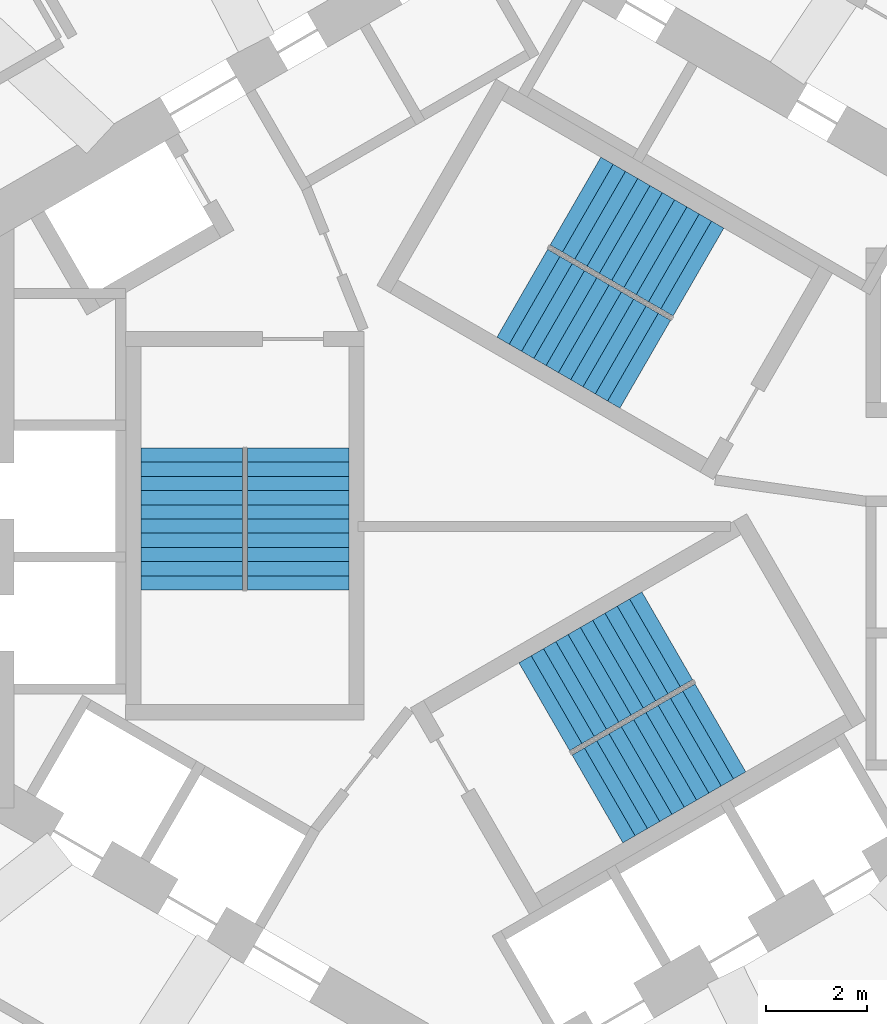
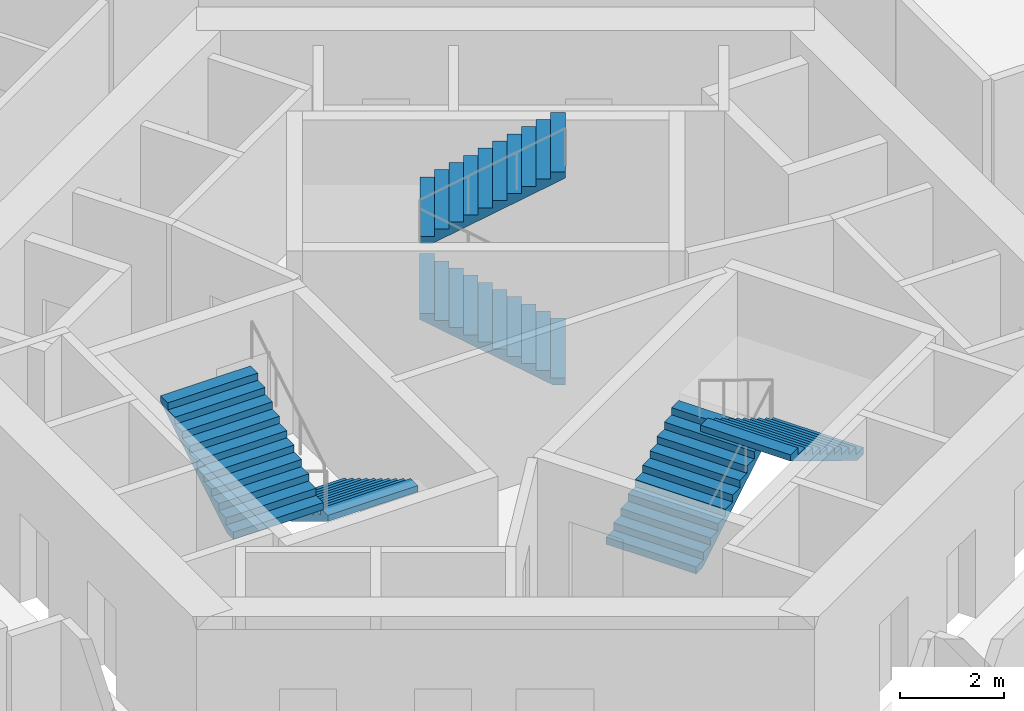
# One storey, part 9 of 11: 6 stair flights, 3 elements without a shape of their own.
"""IFC4 building model written with IfcOpenShell, lengths in metres."""

import ifcopenshell
import ifcopenshell.guid

model = None  # the IFC model being written
_history = None  # IfcOwnerHistory: only IFC2X3 demands one
_inside = {}  # id of a spatial element -> (the spatial element, [elements in it])
_under = {}  # id of a project, library or spatial element -> (it, [spatial elements below it])
_declared = {}  # id of a project -> (the project, [libraries it declares])
_typed = {}  # id of a type object -> (the type object, [elements of that type])
_made_of = {}  # id of a material, layer set ... -> (it, [elements and type objects made of it])


def new_model(schema):
    """Start an empty IFC model of exactly this schema.

    Asked for "IFC4X3", IfcOpenShell would pick the latest addendum, in which some entities
    have other attributes; the version numbers below select the first issue.
    IFC2X3 requires an IfcOwnerHistory on every rooted entity: one is made here for all.
    """
    global model, _history
    if schema == "IFC4X3":
        model = ifcopenshell.file(schema_version=(4, 3, 0, 0))
    else:
        model = ifcopenshell.file(schema=schema)
    _inside.clear()
    _under.clear()
    _declared.clear()
    _typed.clear()
    _made_of.clear()
    _history = None
    if model.schema == "IFC2X3":
        org = make("IfcOrganization", Name="unknown")
        user = make(
            "IfcPersonAndOrganization",
            ThePerson=make("IfcPerson", FamilyName="unknown"),
            TheOrganization=org,
        )
        app = make(
            "IfcApplication",
            ApplicationDeveloper=org,
            Version="unknown",
            ApplicationFullName="unknown",
            ApplicationIdentifier="unknown",
        )
        _history = make(
            "IfcOwnerHistory",
            OwningUser=user,
            OwningApplication=app,
            ChangeAction="ADDED",
            CreationDate=0,
        )
    return model


def make(cls, **values):
    """One entity of the class cls with the attributes given. An attribute that is None is left unset."""
    return model.create_entity(
        cls, **{name: value for name, value in values.items() if value is not None}
    )


def rooted(cls, **values):
    """An entity with a GlobalId (a new one), such as an element, a storey or a relation."""
    return make(cls, GlobalId=ifcopenshell.guid.new(), OwnerHistory=_history, **values)


def si_unit(unit_type, name, prefix=None):
    """IfcSIUnit, for example si_unit("LENGTHUNIT", "METRE", prefix="MILLI")."""
    return make("IfcSIUnit", UnitType=unit_type, Prefix=prefix, Name=name)


def assignment(units):
    """IfcUnitAssignment: the units of a project."""
    return None if units is None else make("IfcUnitAssignment", Units=units)


def point(xyz):
    """IfcCartesianPoint."""
    return None if xyz is None else make("IfcCartesianPoint", Coordinates=xyz)


def direction(xyz):
    """IfcDirection."""
    return None if xyz is None else make("IfcDirection", DirectionRatios=xyz)


def frame(location, z_axis=None, x_axis=None):
    """IfcAxis2Placement3D, a coordinate frame: its origin and axes. An axis left out is left unset."""
    return make(
        "IfcAxis2Placement3D",
        Location=point(location),
        Axis=direction(z_axis),
        RefDirection=direction(x_axis),
    )


def origin():
    """The frame at (0, 0, 0) with its axes left unset."""
    return frame((0.0, 0.0, 0.0))


def place(relative_to, where):
    """IfcLocalPlacement: puts the frame where relative to a parent placement (None: the world)."""
    return make(
        "IfcLocalPlacement", PlacementRelTo=relative_to, RelativePlacement=where
    )


def context(
    kind, dimensions, precision=None, world=None, true_north=None, identifier=None
):
    """IfcGeometricRepresentationContext, for example the 3D "Model" context."""
    return make(
        "IfcGeometricRepresentationContext",
        ContextIdentifier=identifier,
        ContextType=kind,
        CoordinateSpaceDimension=dimensions,
        Precision=precision,
        WorldCoordinateSystem=world,
        TrueNorth=true_north,
    )


def subcontext(parent, identifier, kind, view, scale=None):
    """IfcGeometricRepresentationSubContext, for example "Body" below "Model"."""
    return make(
        "IfcGeometricRepresentationSubContext",
        ContextIdentifier=identifier,
        ContextType=kind,
        ParentContext=parent,
        TargetScale=scale,
        TargetView=view,
    )


def project(units=None, contexts=None):
    """IfcProject with its units and contexts."""
    return rooted(
        "IfcProject",
        Name="project",
        RepresentationContexts=contexts,
        UnitsInContext=assignment(units),
    )


def spatial(cls, under=None, at=None, **own):
    """A site, building, storey or space (cls), placed at a placement, below another one or the project."""
    s = rooted(cls, ObjectPlacement=at, **own)
    if under is not None:
        _under.setdefault(under.id(), (under, []))[1].append(s)
    return s


def point_list(points):
    """IfcCartesianPointList2D or 3D."""
    cls = (
        "IfcCartesianPointList2D" if len(points[0]) == 2 else "IfcCartesianPointList3D"
    )
    return make(cls, CoordList=points)


def triangles(points, corners, closed=None, point_numbers=None):
    """IfcTriangulatedFaceSet: each triangle names its three corners, points numbered from 1."""
    return make(
        "IfcTriangulatedFaceSet",
        Coordinates=point_list(points),
        Closed=closed,
        CoordIndex=corners,
        PnIndex=point_numbers,
    )


def shape(context_of_items, identifier, shape_type, items):
    """IfcShapeRepresentation: the items that make up one representation, for example the "Body"."""
    return make(
        "IfcShapeRepresentation",
        ContextOfItems=context_of_items,
        RepresentationIdentifier=identifier,
        RepresentationType=shape_type,
        Items=items,
    )


def source(mapping_origin, context_of_items, identifier, shape_type, items):
    """IfcRepresentationMap: a shape defined once, which mapped items show again and again."""
    return make(
        "IfcRepresentationMap",
        MappingOrigin=mapping_origin,
        MappedRepresentation=shape(context_of_items, identifier, shape_type, items),
    )


def transform(
    local_origin,
    x_axis=None,
    y_axis=None,
    z_axis=None,
    scale=None,
    scale2=None,
    scale3=None,
    uniform=True,
):
    """IfcCartesianTransformationOperator3D, or its non-uniform kind. x_axis, y_axis, z_axis: its Axis1, 2, 3."""
    if uniform:
        return make(
            "IfcCartesianTransformationOperator3D",
            Axis1=direction(x_axis),
            Axis2=direction(y_axis),
            LocalOrigin=point(local_origin),
            Scale=scale,
            Axis3=direction(z_axis),
        )
    return make(
        "IfcCartesianTransformationOperator3DnonUniform",
        Axis1=direction(x_axis),
        Axis2=direction(y_axis),
        LocalOrigin=point(local_origin),
        Scale=scale,
        Axis3=direction(z_axis),
        Scale2=scale2,
        Scale3=scale3,
    )


def mapped(mapping_source, mapping_target):
    """IfcMappedItem: shows the shape of a source again, moved by a transform."""
    return make(
        "IfcMappedItem", MappingSource=mapping_source, MappingTarget=mapping_target
    )


def material(Name=None, Category=None):
    """IfcMaterial."""
    return make("IfcMaterial", Name=Name, Category=Category)


def made_of(thing, what):
    """Note that an element or type object is made of a material, layer set ...; save() writes the relation."""
    if what is not None:
        _made_of.setdefault(what.id(), (what, []))[1].append(thing)
    return thing


def type_object(cls, material=None, **own):
    """A type object (cls), such as IfcWallType, which elements share."""
    return made_of(rooted(cls, **own), material)


def element(
    cls,
    number,
    at=None,
    inside=None,
    cuts=None,
    type_object=None,
    material=None,
    context=None,
    identifier="Body",
    shape_type=None,
    held_by="IfcProductDefinitionShape",
    body=None,
    shapes=None,
    **own,
):
    """One element of the class cls, such as IfcWall. Its Tag is "e" and its number.

    at: its placement. inside: the storey or other place that contains it. cuts: it is an
    opening in that element (IfcRelVoidsElement). A single representation is given by context,
    identifier, shape_type and body (its items); several are given by shapes. held_by: the class
    of the entity that holds the representations. save() writes the other relations.
    """
    e = rooted(cls, Tag="e%d" % number, ObjectPlacement=at, **own)
    if body is not None:
        shapes = [shape(context, identifier, shape_type, body)]
    if shapes is not None:
        e.Representation = make(held_by, Representations=shapes)
    if inside is not None:
        _inside.setdefault(inside.id(), (inside, []))[1].append(e)
    if cuts is not None:
        rooted(
            "IfcRelVoidsElement", RelatingBuildingElement=cuts, RelatedOpeningElement=e
        )
    if type_object is not None:
        _typed.setdefault(type_object.id(), (type_object, []))[1].append(e)
    return made_of(e, material)


def aggregate(whole, parts):
    """IfcRelAggregates: a whole, such as a stair, and the parts it consists of."""
    return rooted("IfcRelAggregates", RelatingObject=whole, RelatedObjects=parts)


def save(model, path):
    """Write the relations noted so far, then the file.

    IfcRelAggregates (storeys below a building ...), IfcRelContainedInSpatialStructure (elements
    in a storey), IfcRelDefinesByType, IfcRelAssociatesMaterial and IfcRelDeclares: one each for
    every whole, place, type object, material and project.
    """
    for whole, parts in _under.values():
        aggregate(whole, parts)
    for where, things in _inside.values():
        rooted(
            "IfcRelContainedInSpatialStructure",
            RelatedElements=things,
            RelatingStructure=where,
        )
    for kind, things in _typed.values():
        rooted("IfcRelDefinesByType", RelatedObjects=things, RelatingType=kind)
    for what, things in _made_of.values():
        rooted("IfcRelAssociatesMaterial", RelatedObjects=things, RelatingMaterial=what)
    for by, libraries in _declared.values():
        rooted("IfcRelDeclares", RelatingContext=by, RelatedDefinitions=libraries)
    model.write(path)


model = new_model("IFC4")

# Units and contexts
model_context = context("Model", 3, precision=1e-05, world=origin(), true_north=direction((0.0, 1.0)))
body_context = subcontext(model_context, "Body", "Model", "MODEL_VIEW")
ifc_project = project(units=[si_unit("LENGTHUNIT", "METRE"), si_unit("AREAUNIT", "SQUARE_METRE"), si_unit("VOLUMEUNIT", "CUBIC_METRE"), si_unit("PLANEANGLEUNIT", "RADIAN"), si_unit("MASSUNIT", "GRAM", prefix="KILO")], contexts=[model_context])

# Site, building, storey
site_placement = place(None, origin())
site = spatial("IfcSite", under=ifc_project, at=site_placement, CompositionType="ELEMENT")
building_placement = place(site_placement, origin())
building = spatial("IfcBuilding", under=site, at=building_placement, Name="Vanh Sen Convention Tower", CompositionType="ELEMENT")
storey_placement = place(building_placement, frame((0.0, 0.0, 251.300048828125)))
storey = spatial("IfcBuildingStorey", under=building, at=storey_placement, Name="L62", CompositionType="ELEMENT", Elevation=251.300048828125)

# Stair, stair flights
ifc_material_1 = material(Name="Concrete C50/60", Category="concrete")
stair_type_1 = type_object("IfcStairType", Name="Exit stair ST1 22 risers at 168.2", PredefinedType="HALF_TURN_STAIR", material=ifc_material_1)
stair_1_placement = place(storey_placement, origin())
stair_1 = element("IfcStair", 1, at=stair_1_placement, inside=storey, type_object=stair_type_1, Name="Exit stair ST1 L62", PredefinedType="HALF_TURN_STAIR")
ifc_material_2 = material(Name="Concrete C40/50", Category="concrete")
stair_flight_type = type_object("IfcStairFlightType", Name="Stair flight 2000", PredefinedType="STRAIGHT", material=ifc_material_2)
shared_shape = source(origin(), body_context, "Body", "Tessellation", [
    triangles([(0.24267578125, 1.0, 0.0), (0.0, 1.0, 0.0), (0.0, 1.0, 0.168212890625), (0.280029296875, 1.0, 0.168212890625), (0.280029296875, 1.0, 0.33642578125), (0.56005859375, 1.0, 0.33642578125), (0.56005859375, 1.0, 0.504638671875), (0.840087890625, 1.0, 0.504638671875), (0.840087890625, 1.0, 0.672607421875), (1.1201171875, 1.0, 0.672607421875), (1.1201171875, 1.0, 0.8408203125), (1.39990234375, 1.0, 0.8408203125), (1.39990234375, 1.0, 1.009033203125), (1.679931640625, 1.0, 1.009033203125), (1.679931640625, 1.0, 1.17724609375), (1.9599609375, 1.0, 1.17724609375), (1.9599609375, 1.0, 1.345458984375), (2.239990234375, 1.0, 1.345458984375), (2.239990234375, 1.0, 1.513671875), (2.52001953125, 1.0, 1.513671875), (2.52001953125, 1.0, 1.681884765625), (2.800048828125, 1.0, 1.681884765625), (2.800048828125, 1.0, 1.535888671875), (0.24267578125, -1.0, 0.0), (0.0, -1.0, 0.0), (0.0, -1.0, 0.168212890625), (0.280029296875, -1.0, 0.168212890625), (0.280029296875, -1.0, 0.33642578125), (0.56005859375, -1.0, 0.33642578125), (0.56005859375, -1.0, 0.504638671875), (0.840087890625, -1.0, 0.504638671875), (0.840087890625, -1.0, 0.672607421875), (1.1201171875, -1.0, 0.672607421875), (1.1201171875, -1.0, 0.8408203125), (1.39990234375, -1.0, 0.8408203125), (1.39990234375, -1.0, 1.009033203125), (1.679931640625, -1.0, 1.009033203125), (1.679931640625, -1.0, 1.17724609375), (1.9599609375, -1.0, 1.17724609375), (1.9599609375, -1.0, 1.345458984375), (2.239990234375, -1.0, 1.345458984375), (2.239990234375, -1.0, 1.513671875), (2.52001953125, -1.0, 1.513671875), (2.52001953125, -1.0, 1.681884765625), (2.800048828125, -1.0, 1.681884765625), (2.800048828125, -1.0, 1.535888671875), (0.0, 0.0400390625, 0.0), (0.0, 0.0390625, 0.0), (0.0, 0.0380859375, 0.0), (0.0, 0.037109375, 0.0), (0.0, 0.035888671875, 0.0), (0.0, 0.034912109375, 0.0), (0.0, 0.033935546875, 0.0), (0.0, 0.032958984375, 0.0), (0.0, 0.031982421875, 0.0), (0.0, 0.031005859375, 0.0), (0.0, 0.030029296875, 0.0), (0.0, 0.029052734375, 0.0), (0.0, 0.028076171875, 0.0), (0.0, 0.027099609375, 0.0), (0.0, 0.02587890625, 0.0), (0.0, 0.02490234375, 0.0), (0.0, 0.02392578125, 0.0), (0.0, 0.02294921875, 0.0), (0.0, 0.02197265625, 0.0), (0.0, 0.02099609375, 0.0), (0.0, 0.02001953125, 0.0), (0.0, 0.01904296875, 0.0), (0.0, 0.01806640625, 0.0), (0.0, 0.01708984375, 0.0), (0.0, 0.01611328125, 0.0), (0.0, 0.014892578125, 0.0), (0.0, 0.013916015625, 0.0), (0.0, 0.012939453125, 0.0), (0.0, 0.011962890625, 0.0), (0.0, 0.010986328125, 0.0), (0.0, 0.010009765625, 0.0), (0.0, 0.009033203125, 0.0), (0.0, 0.008056640625, 0.0), (0.0, 0.007080078125, 0.0), (0.0, 0.006103515625, 0.0), (0.0, 0.0048828125, 0.0), (0.0, 0.00390625, 0.0), (0.0, 0.0029296875, 0.0), (0.0, 0.001953125, 0.0), (0.0, 0.0009765625, 0.0), (0.0, 0.0, 0.0), (0.0, -0.0009765625, 0.0), (0.0, -0.001953125, 0.0), (0.0, -0.0029296875, 0.0), (0.0, -0.00390625, 0.0), (0.0, -0.0048828125, 0.0), (0.0, -0.006103515625, 0.0), (0.0, -0.007080078125, 0.0), (0.0, -0.008056640625, 0.0), (0.0, -0.009033203125, 0.0), (0.0, -0.010009765625, 0.0), (0.0, -0.010986328125, 0.0), (0.0, -0.011962890625, 0.0), (0.0, -0.012939453125, 0.0), (0.0, -0.013916015625, 0.0), (0.0, -0.014892578125, 0.0), (0.0, -0.01611328125, 0.0), (0.0, -0.01708984375, 0.0), (0.0, -0.01806640625, 0.0), (0.0, -0.01904296875, 0.0), (0.0, -0.02001953125, 0.0), (0.0, -0.02099609375, 0.0), (0.0, -0.02197265625, 0.0), (0.0, -0.02294921875, 0.0), (0.0, -0.02392578125, 0.0), (0.0, -0.02490234375, 0.0), (0.0, -0.02587890625, 0.0), (0.0, -0.027099609375, 0.0), (0.0, -0.028076171875, 0.0), (0.0, -0.029052734375, 0.0), (0.0, -0.030029296875, 0.0), (0.0, -0.031005859375, 0.0), (0.0, -0.031982421875, 0.0), (0.0, -0.032958984375, 0.0), (0.0, -0.033935546875, 0.0), (0.0, -0.034912109375, 0.0), (0.0, -0.035888671875, 0.0), (0.0, -0.037109375, 0.0), (0.0, -0.0380859375, 0.0), (0.0, -0.0390625, 0.0), (0.0, -0.0400390625, 0.0), (0.0, 0.0400390625, 0.168212890625), (0.0, 0.0390625, 0.168212890625), (0.0, 0.0380859375, 0.168212890625), (0.0, 0.037109375, 0.168212890625), (0.0, 0.035888671875, 0.168212890625), (0.0, 0.034912109375, 0.168212890625), (0.0, 0.033935546875, 0.168212890625), (0.0, 0.032958984375, 0.168212890625), (0.0, 0.031982421875, 0.168212890625), (0.0, 0.031005859375, 0.168212890625), (0.0, 0.030029296875, 0.168212890625), (0.0, 0.029052734375, 0.168212890625), (0.0, 0.028076171875, 0.168212890625), (0.0, 0.027099609375, 0.168212890625), (0.0, 0.02587890625, 0.168212890625), (0.0, 0.02490234375, 0.168212890625), (0.0, 0.02392578125, 0.168212890625), (0.0, 0.02294921875, 0.168212890625), (0.0, 0.02197265625, 0.168212890625), (0.0, 0.02099609375, 0.168212890625), (0.0, 0.02001953125, 0.168212890625), (0.0, 0.01904296875, 0.168212890625), (0.0, 0.01806640625, 0.168212890625), (0.0, 0.01708984375, 0.168212890625), (0.0, 0.01611328125, 0.168212890625), (0.0, 0.014892578125, 0.168212890625), (0.0, 0.013916015625, 0.168212890625), (0.0, 0.012939453125, 0.168212890625), (0.0, 0.011962890625, 0.168212890625), (0.0, 0.010986328125, 0.168212890625), (0.0, 0.010009765625, 0.168212890625), (0.0, 0.009033203125, 0.168212890625), (0.0, 0.008056640625, 0.168212890625), (0.0, 0.007080078125, 0.168212890625), (0.0, 0.006103515625, 0.168212890625), (0.0, 0.0048828125, 0.168212890625), (0.0, 0.00390625, 0.168212890625), (0.0, 0.0029296875, 0.168212890625), (0.0, 0.001953125, 0.168212890625), (0.0, 0.0009765625, 0.168212890625), (0.0, 0.0, 0.168212890625), (0.0, -0.0009765625, 0.168212890625), (0.0, -0.001953125, 0.168212890625), (0.0, -0.0029296875, 0.168212890625), (0.0, -0.00390625, 0.168212890625), (0.0, -0.0048828125, 0.168212890625), (0.0, -0.006103515625, 0.168212890625), (0.0, -0.007080078125, 0.168212890625), (0.0, -0.008056640625, 0.168212890625), (0.0, -0.009033203125, 0.168212890625), (0.0, -0.010009765625, 0.168212890625), (0.0, -0.010986328125, 0.168212890625), (0.0, -0.011962890625, 0.168212890625), (0.0, -0.012939453125, 0.168212890625), (0.0, -0.013916015625, 0.168212890625), (0.0, -0.014892578125, 0.168212890625), (0.0, -0.01611328125, 0.168212890625), (0.0, -0.01708984375, 0.168212890625), (0.0, -0.01806640625, 0.168212890625), (0.0, -0.01904296875, 0.168212890625), (0.0, -0.02001953125, 0.168212890625), (0.0, -0.02099609375, 0.168212890625), (0.0, -0.02197265625, 0.168212890625), (0.0, -0.02294921875, 0.168212890625), (0.0, -0.02392578125, 0.168212890625), (0.0, -0.02490234375, 0.168212890625), (0.0, -0.02587890625, 0.168212890625), (0.0, -0.027099609375, 0.168212890625), (0.0, -0.028076171875, 0.168212890625), (0.0, -0.029052734375, 0.168212890625), (0.0, -0.030029296875, 0.168212890625), (0.0, -0.031005859375, 0.168212890625), (0.0, -0.031982421875, 0.168212890625), (0.0, -0.032958984375, 0.168212890625), (0.0, -0.033935546875, 0.168212890625), (0.0, -0.034912109375, 0.168212890625), (0.0, -0.035888671875, 0.168212890625), (0.0, -0.037109375, 0.168212890625), (0.0, -0.0380859375, 0.168212890625), (0.0, -0.0390625, 0.168212890625), (0.0, -0.0400390625, 0.168212890625), (0.280029296875, 0.0, 0.168212890625), (0.280029296875, 0.0, 0.33642578125), (0.56005859375, 0.0, 0.33642578125), (0.56005859375, 0.0, 0.504638671875), (0.840087890625, 0.0, 0.504638671875), (0.840087890625, 0.0, 0.672607421875), (1.1201171875, 0.0, 0.672607421875), (1.1201171875, 0.0, 0.8408203125), (1.39990234375, 0.0, 0.8408203125), (1.39990234375, 0.0, 1.009033203125), (1.679931640625, 0.0, 1.009033203125), (1.679931640625, 0.0, 1.17724609375), (1.9599609375, 0.0, 1.17724609375), (1.9599609375, 0.0, 1.345458984375), (2.239990234375, 0.0, 1.345458984375), (2.239990234375, 0.0, 1.513671875), (2.52001953125, 0.0, 1.513671875), (2.52001953125, 0.0, 1.681884765625), (2.800048828125, 0.0400390625, 1.681884765625), (2.800048828125, 0.0390625, 1.681884765625), (2.800048828125, 0.0380859375, 1.681884765625), (2.800048828125, 0.037109375, 1.681884765625), (2.800048828125, 0.035888671875, 1.681884765625), (2.800048828125, 0.034912109375, 1.681884765625), (2.800048828125, 0.033935546875, 1.681884765625), (2.800048828125, 0.032958984375, 1.681884765625), (2.800048828125, 0.031982421875, 1.681884765625), (2.800048828125, 0.031005859375, 1.681884765625), (2.800048828125, 0.030029296875, 1.681884765625), (2.800048828125, 0.029052734375, 1.681884765625), (2.800048828125, 0.028076171875, 1.681884765625), (2.800048828125, 0.027099609375, 1.681884765625), (2.800048828125, 0.02587890625, 1.681884765625), (2.800048828125, 0.02490234375, 1.681884765625), (2.800048828125, 0.02392578125, 1.681884765625), (2.800048828125, 0.02294921875, 1.681884765625), (2.800048828125, 0.02197265625, 1.681884765625), (2.800048828125, 0.02099609375, 1.681884765625), (2.800048828125, 0.02001953125, 1.681884765625), (2.800048828125, 0.01904296875, 1.681884765625), (2.800048828125, 0.01806640625, 1.681884765625), (2.800048828125, 0.01708984375, 1.681884765625), (2.800048828125, 0.01611328125, 1.681884765625), (2.800048828125, 0.014892578125, 1.681884765625), (2.800048828125, 0.013916015625, 1.681884765625), (2.800048828125, 0.012939453125, 1.681884765625), (2.800048828125, 0.011962890625, 1.681884765625), (2.800048828125, 0.010986328125, 1.681884765625), (2.800048828125, 0.010009765625, 1.681884765625), (2.800048828125, 0.009033203125, 1.681884765625), (2.800048828125, 0.008056640625, 1.681884765625), (2.800048828125, 0.007080078125, 1.681884765625), (2.800048828125, 0.006103515625, 1.681884765625), (2.800048828125, 0.0048828125, 1.681884765625), (2.800048828125, 0.00390625, 1.681884765625), (2.800048828125, 0.0029296875, 1.681884765625), (2.800048828125, 0.001953125, 1.681884765625), (2.800048828125, 0.0009765625, 1.681884765625), (2.800048828125, 0.0, 1.681884765625), (2.800048828125, -0.0009765625, 1.681884765625), (2.800048828125, -0.001953125, 1.681884765625), (2.800048828125, -0.0029296875, 1.681884765625), (2.800048828125, -0.00390625, 1.681884765625), (2.800048828125, -0.0048828125, 1.681884765625), (2.800048828125, -0.006103515625, 1.681884765625), (2.800048828125, -0.007080078125, 1.681884765625), (2.800048828125, -0.008056640625, 1.681884765625), (2.800048828125, -0.009033203125, 1.681884765625), (2.800048828125, -0.010009765625, 1.681884765625), (2.800048828125, -0.010986328125, 1.681884765625), (2.800048828125, -0.011962890625, 1.681884765625), (2.800048828125, -0.012939453125, 1.681884765625), (2.800048828125, -0.013916015625, 1.681884765625), (2.800048828125, -0.014892578125, 1.681884765625), (2.800048828125, -0.01611328125, 1.681884765625), (2.800048828125, -0.01708984375, 1.681884765625), (2.800048828125, -0.01806640625, 1.681884765625), (2.800048828125, -0.01904296875, 1.681884765625), (2.800048828125, -0.02001953125, 1.681884765625), (2.800048828125, -0.02099609375, 1.681884765625), (2.800048828125, -0.02197265625, 1.681884765625), (2.800048828125, -0.02294921875, 1.681884765625), (2.800048828125, -0.02392578125, 1.681884765625), (2.800048828125, -0.02490234375, 1.681884765625), (2.800048828125, -0.02587890625, 1.681884765625), (2.800048828125, -0.027099609375, 1.681884765625), (2.800048828125, -0.028076171875, 1.681884765625), (2.800048828125, -0.029052734375, 1.681884765625), (2.800048828125, -0.030029296875, 1.681884765625), (2.800048828125, -0.031005859375, 1.681884765625), (2.800048828125, -0.031982421875, 1.681884765625), (2.800048828125, -0.032958984375, 1.681884765625), (2.800048828125, -0.033935546875, 1.681884765625), (2.800048828125, -0.034912109375, 1.681884765625), (2.800048828125, -0.035888671875, 1.681884765625), (2.800048828125, -0.037109375, 1.681884765625), (2.800048828125, -0.0380859375, 1.681884765625), (2.800048828125, -0.0390625, 1.681884765625), (2.800048828125, -0.0400390625, 1.681884765625), (2.800048828125, 0.0400390625, 1.535888671875), (2.800048828125, 0.0390625, 1.535888671875), (2.800048828125, 0.0380859375, 1.535888671875), (2.800048828125, 0.037109375, 1.535888671875), (2.800048828125, 0.035888671875, 1.535888671875), (2.800048828125, 0.034912109375, 1.535888671875), (2.800048828125, 0.033935546875, 1.535888671875), (2.800048828125, 0.032958984375, 1.535888671875), (2.800048828125, 0.031982421875, 1.535888671875), (2.800048828125, 0.031005859375, 1.535888671875), (2.800048828125, 0.030029296875, 1.535888671875), (2.800048828125, 0.029052734375, 1.535888671875), (2.800048828125, 0.028076171875, 1.535888671875), (2.800048828125, 0.027099609375, 1.535888671875), (2.800048828125, 0.02587890625, 1.535888671875), (2.800048828125, 0.02490234375, 1.535888671875), (2.800048828125, 0.02392578125, 1.535888671875), (2.800048828125, 0.02294921875, 1.535888671875), (2.800048828125, 0.02197265625, 1.535888671875), (2.800048828125, 0.02099609375, 1.535888671875), (2.800048828125, 0.02001953125, 1.535888671875), (2.800048828125, 0.01904296875, 1.535888671875), (2.800048828125, 0.01806640625, 1.535888671875), (2.800048828125, 0.01708984375, 1.535888671875), (2.800048828125, 0.01611328125, 1.535888671875), (2.800048828125, 0.014892578125, 1.535888671875), (2.800048828125, 0.013916015625, 1.535888671875), (2.800048828125, 0.012939453125, 1.535888671875), (2.800048828125, 0.011962890625, 1.535888671875), (2.800048828125, 0.010986328125, 1.535888671875), (2.800048828125, 0.010009765625, 1.535888671875), (2.800048828125, 0.009033203125, 1.535888671875), (2.800048828125, 0.008056640625, 1.535888671875), (2.800048828125, 0.007080078125, 1.535888671875), (2.800048828125, 0.006103515625, 1.535888671875), (2.800048828125, 0.0048828125, 1.535888671875), (2.800048828125, 0.00390625, 1.535888671875), (2.800048828125, 0.0029296875, 1.535888671875), (2.800048828125, 0.001953125, 1.535888671875), (2.800048828125, 0.0009765625, 1.535888671875), (2.800048828125, 0.0, 1.535888671875), (2.800048828125, -0.0009765625, 1.535888671875), (2.800048828125, -0.001953125, 1.535888671875), (2.800048828125, -0.0029296875, 1.535888671875), (2.800048828125, -0.00390625, 1.535888671875), (2.800048828125, -0.0048828125, 1.535888671875), (2.800048828125, -0.006103515625, 1.535888671875), (2.800048828125, -0.007080078125, 1.535888671875), (2.800048828125, -0.008056640625, 1.535888671875), (2.800048828125, -0.009033203125, 1.535888671875), (2.800048828125, -0.010009765625, 1.535888671875), (2.800048828125, -0.010986328125, 1.535888671875), (2.800048828125, -0.011962890625, 1.535888671875), (2.800048828125, -0.012939453125, 1.535888671875), (2.800048828125, -0.013916015625, 1.535888671875), (2.800048828125, -0.014892578125, 1.535888671875), (2.800048828125, -0.01611328125, 1.535888671875), (2.800048828125, -0.01708984375, 1.535888671875), (2.800048828125, -0.01806640625, 1.535888671875), (2.800048828125, -0.01904296875, 1.535888671875), (2.800048828125, -0.02001953125, 1.535888671875), (2.800048828125, -0.02099609375, 1.535888671875), (2.800048828125, -0.02197265625, 1.535888671875), (2.800048828125, -0.02294921875, 1.535888671875), (2.800048828125, -0.02392578125, 1.535888671875), (2.800048828125, -0.02490234375, 1.535888671875), (2.800048828125, -0.02587890625, 1.535888671875), (2.800048828125, -0.027099609375, 1.535888671875), (2.800048828125, -0.028076171875, 1.535888671875), (2.800048828125, -0.029052734375, 1.535888671875), (2.800048828125, -0.030029296875, 1.535888671875), (2.800048828125, -0.031005859375, 1.535888671875), (2.800048828125, -0.031982421875, 1.535888671875), (2.800048828125, -0.032958984375, 1.535888671875), (2.800048828125, -0.033935546875, 1.535888671875), (2.800048828125, -0.034912109375, 1.535888671875), (2.800048828125, -0.035888671875, 1.535888671875), (2.800048828125, -0.037109375, 1.535888671875), (2.800048828125, -0.0380859375, 1.535888671875), (2.800048828125, -0.0390625, 1.535888671875), (2.800048828125, -0.0400390625, 1.535888671875), (0.24267578125, 0.0, 0.0)], [[1, 2, 3], [1, 3, 4], [4, 5, 6], [1, 4, 6], [6, 7, 8], [1, 6, 8], [8, 9, 10], [1, 8, 10], [10, 11, 12], [1, 10, 12], [12, 13, 14], [1, 12, 14], [14, 15, 16], [1, 14, 16], [16, 17, 18], [1, 16, 18], [18, 19, 20], [1, 18, 20], [20, 21, 22], [1, 20, 22], [22, 23, 1], [24, 26, 25], [24, 27, 26], [27, 29, 28], [24, 29, 27], [29, 31, 30], [24, 31, 29], [31, 33, 32], [24, 33, 31], [33, 35, 34], [24, 35, 33], [35, 37, 36], [24, 37, 35], [37, 39, 38], [24, 39, 37], [39, 41, 40], [24, 41, 39], [41, 43, 42], [24, 43, 41], [43, 45, 44], [24, 45, 43], [45, 24, 46], [2, 128, 3], [2, 47, 128], [47, 129, 128], [47, 48, 129], [48, 130, 129], [48, 49, 130], [49, 131, 130], [49, 50, 131], [50, 132, 131], [50, 51, 132], [51, 133, 132], [51, 52, 133], [52, 134, 133], [52, 53, 134], [53, 135, 134], [53, 54, 135], [54, 136, 135], [54, 55, 136], [55, 137, 136], [55, 56, 137], [56, 138, 137], [56, 57, 138], [57, 139, 138], [57, 58, 139], [58, 140, 139], [58, 59, 140], [59, 141, 140], [59, 60, 141], [60, 142, 141], [60, 61, 142], [61, 143, 142], [61, 62, 143], [62, 144, 143], [62, 63, 144], [63, 145, 144], [63, 64, 145], [64, 146, 145], [64, 65, 146], [65, 147, 146], [65, 66, 147], [66, 148, 147], [66, 67, 148], [67, 149, 148], [67, 68, 149], [68, 150, 149], [68, 69, 150], [69, 151, 150], [69, 70, 151], [70, 152, 151], [70, 71, 152], [71, 153, 152], [71, 72, 153], [72, 154, 153], [72, 73, 154], [73, 155, 154], [73, 74, 155], [74, 156, 155], [74, 75, 156], [75, 157, 156], [75, 76, 157], [76, 158, 157], [76, 77, 158], [77, 159, 158], [77, 78, 159], [78, 160, 159], [78, 79, 160], [79, 161, 160], [79, 80, 161], [80, 162, 161], [80, 81, 162], [81, 163, 162], [81, 82, 163], [82, 164, 163], [82, 83, 164], [83, 165, 164], [83, 84, 165], [84, 166, 165], [84, 85, 166], [85, 167, 166], [85, 86, 167], [86, 168, 167], [86, 87, 168], [87, 88, 168], [168, 88, 169], [88, 89, 169], [169, 89, 170], [89, 90, 170], [170, 90, 171], [90, 91, 171], [171, 91, 172], [91, 92, 172], [172, 92, 173], [92, 93, 173], [173, 93, 174], [93, 94, 174], [174, 94, 175], [94, 95, 175], [175, 95, 176], [95, 96, 176], [176, 96, 177], [96, 97, 177], [177, 97, 178], [97, 98, 178], [178, 98, 179], [98, 99, 179], [179, 99, 180], [99, 100, 180], [180, 100, 181], [100, 101, 181], [181, 101, 182], [101, 102, 182], [182, 102, 183], [102, 103, 183], [183, 103, 184], [103, 104, 184], [184, 104, 185], [104, 105, 185], [185, 105, 186], [105, 106, 186], [186, 106, 187], [106, 107, 187], [187, 107, 188], [107, 108, 188], [188, 108, 189], [108, 109, 189], [189, 109, 190], [109, 110, 190], [190, 110, 191], [110, 111, 191], [191, 111, 192], [111, 112, 192], [192, 112, 193], [112, 113, 193], [193, 113, 194], [113, 114, 194], [194, 114, 195], [114, 115, 195], [195, 115, 196], [115, 116, 196], [196, 116, 197], [116, 117, 197], [197, 117, 198], [117, 118, 198], [198, 118, 199], [118, 119, 199], [199, 119, 200], [119, 120, 200], [200, 120, 201], [120, 121, 201], [201, 121, 202], [121, 122, 202], [202, 122, 203], [122, 123, 203], [203, 123, 204], [123, 124, 204], [204, 124, 205], [124, 125, 205], [205, 125, 206], [125, 126, 206], [206, 126, 207], [126, 127, 207], [207, 127, 208], [127, 25, 208], [208, 25, 26], [4, 3, 128], [4, 128, 129], [4, 129, 130], [4, 130, 131], [4, 131, 132], [4, 132, 133], [4, 133, 134], [4, 134, 135], [4, 135, 136], [4, 136, 137], [4, 137, 138], [4, 138, 139], [4, 139, 140], [4, 140, 141], [4, 141, 142], [4, 142, 143], [4, 143, 144], [4, 144, 145], [4, 145, 146], [4, 146, 147], [4, 147, 148], [4, 148, 149], [4, 149, 150], [4, 150, 151], [4, 151, 152], [4, 152, 153], [4, 153, 154], [4, 154, 155], [4, 155, 156], [4, 156, 157], [4, 157, 158], [4, 158, 159], [4, 159, 160], [4, 160, 161], [4, 161, 162], [4, 162, 163], [4, 163, 164], [4, 164, 165], [4, 165, 166], [4, 166, 167], [4, 167, 168], [27, 168, 169], [27, 169, 170], [27, 170, 171], [27, 171, 172], [27, 172, 173], [27, 173, 174], [27, 174, 175], [27, 175, 176], [27, 176, 177], [27, 177, 178], [27, 178, 179], [27, 179, 180], [27, 180, 181], [27, 181, 182], [27, 182, 183], [27, 183, 184], [27, 184, 185], [27, 185, 186], [27, 186, 187], [27, 187, 188], [27, 188, 189], [27, 189, 190], [27, 190, 191], [27, 191, 192], [27, 192, 193], [27, 193, 194], [27, 194, 195], [27, 195, 196], [27, 196, 197], [27, 197, 198], [27, 198, 199], [27, 199, 200], [27, 200, 201], [27, 201, 202], [27, 202, 203], [27, 203, 204], [27, 204, 205], [27, 205, 206], [27, 206, 207], [27, 207, 208], [27, 208, 26], [4, 168, 209], [27, 209, 168], [4, 210, 5], [4, 209, 210], [209, 27, 210], [210, 27, 28], [5, 211, 6], [5, 210, 211], [210, 28, 211], [211, 28, 29], [6, 212, 7], [6, 211, 212], [211, 29, 212], [212, 29, 30], [7, 213, 8], [7, 212, 213], [212, 30, 213], [213, 30, 31], [8, 214, 9], [8, 213, 214], [213, 31, 214], [214, 31, 32], [9, 215, 10], [9, 214, 215], [214, 32, 215], [215, 32, 33], [10, 216, 11], [10, 215, 216], [215, 33, 216], [216, 33, 34], [11, 217, 12], [11, 216, 217], [216, 34, 217], [217, 34, 35], [12, 218, 13], [12, 217, 218], [217, 35, 218], [218, 35, 36], [13, 219, 14], [13, 218, 219], [218, 36, 219], [219, 36, 37], [14, 220, 15], [14, 219, 220], [219, 37, 220], [220, 37, 38], [15, 221, 16], [15, 220, 221], [220, 38, 221], [221, 38, 39], [16, 222, 17], [16, 221, 222], [221, 39, 222], [222, 39, 40], [17, 223, 18], [17, 222, 223], [222, 40, 223], [223, 40, 41], [18, 224, 19], [18, 223, 224], [223, 41, 224], [224, 41, 42], [19, 225, 20], [19, 224, 225], [224, 42, 225], [225, 42, 43], [20, 226, 21], [20, 225, 226], [225, 43, 226], [226, 43, 44], [21, 227, 22], [21, 228, 227], [21, 229, 228], [21, 230, 229], [21, 231, 230], [21, 232, 231], [21, 233, 232], [21, 234, 233], [21, 235, 234], [21, 236, 235], [21, 237, 236], [21, 238, 237], [21, 239, 238], [21, 240, 239], [21, 241, 240], [21, 242, 241], [21, 243, 242], [21, 244, 243], [21, 245, 244], [21, 246, 245], [21, 247, 246], [21, 248, 247], [21, 249, 248], [21, 250, 249], [21, 251, 250], [21, 252, 251], [21, 253, 252], [21, 254, 253], [21, 255, 254], [21, 256, 255], [21, 257, 256], [21, 258, 257], [21, 259, 258], [21, 260, 259], [21, 261, 260], [21, 262, 261], [21, 263, 262], [21, 264, 263], [21, 265, 264], [21, 266, 265], [21, 267, 266], [44, 268, 267], [44, 269, 268], [44, 270, 269], [44, 271, 270], [44, 272, 271], [44, 273, 272], [44, 274, 273], [44, 275, 274], [44, 276, 275], [44, 277, 276], [44, 278, 277], [44, 279, 278], [44, 280, 279], [44, 281, 280], [44, 282, 281], [44, 283, 282], [44, 284, 283], [44, 285, 284], [44, 286, 285], [44, 287, 286], [44, 288, 287], [44, 289, 288], [44, 290, 289], [44, 291, 290], [44, 292, 291], [44, 293, 292], [44, 294, 293], [44, 295, 294], [44, 296, 295], [44, 297, 296], [44, 298, 297], [44, 299, 298], [44, 300, 299], [44, 301, 300], [44, 302, 301], [44, 303, 302], [44, 304, 303], [44, 305, 304], [44, 306, 305], [44, 307, 306], [44, 45, 307], [21, 226, 267], [44, 267, 226], [22, 308, 23], [22, 227, 308], [227, 309, 308], [227, 228, 309], [228, 310, 309], [228, 229, 310], [229, 311, 310], [229, 230, 311], [230, 312, 311], [230, 231, 312], [231, 313, 312], [231, 232, 313], [232, 314, 313], [232, 233, 314], [233, 315, 314], [233, 234, 315], [234, 316, 315], [234, 235, 316], [235, 317, 316], [235, 236, 317], [236, 318, 317], [236, 237, 318], [237, 319, 318], [237, 238, 319], [238, 320, 319], [238, 239, 320], [239, 321, 320], [239, 240, 321], [240, 322, 321], [240, 241, 322], [241, 323, 322], [241, 242, 323], [242, 324, 323], [242, 243, 324], [243, 325, 324], [243, 244, 325], [244, 326, 325], [244, 245, 326], [245, 327, 326], [245, 246, 327], [246, 328, 327], [246, 247, 328], [247, 329, 328], [247, 248, 329], [248, 330, 329], [248, 249, 330], [249, 331, 330], [249, 250, 331], [250, 332, 331], [250, 251, 332], [251, 333, 332], [251, 252, 333], [252, 334, 333], [252, 253, 334], [253, 335, 334], [253, 254, 335], [254, 336, 335], [254, 255, 336], [255, 337, 336], [255, 256, 337], [256, 338, 337], [256, 257, 338], [257, 339, 338], [257, 258, 339], [258, 340, 339], [258, 259, 340], [259, 341, 340], [259, 260, 341], [260, 342, 341], [260, 261, 342], [261, 343, 342], [261, 262, 343], [262, 344, 343], [262, 263, 344], [263, 345, 344], [263, 264, 345], [264, 346, 345], [264, 265, 346], [265, 347, 346], [265, 266, 347], [266, 348, 347], [266, 267, 348], [267, 268, 348], [348, 268, 349], [268, 269, 349], [349, 269, 350], [269, 270, 350], [350, 270, 351], [270, 271, 351], [351, 271, 352], [271, 272, 352], [352, 272, 353], [272, 273, 353], [353, 273, 354], [273, 274, 354], [354, 274, 355], [274, 275, 355], [355, 275, 356], [275, 276, 356], [356, 276, 357], [276, 277, 357], [357, 277, 358], [277, 278, 358], [358, 278, 359], [278, 279, 359], [359, 279, 360], [279, 280, 360], [360, 280, 361], [280, 281, 361], [361, 281, 362], [281, 282, 362], [362, 282, 363], [282, 283, 363], [363, 283, 364], [283, 284, 364], [364, 284, 365], [284, 285, 365], [365, 285, 366], [285, 286, 366], [366, 286, 367], [286, 287, 367], [367, 287, 368], [287, 288, 368], [368, 288, 369], [288, 289, 369], [369, 289, 370], [289, 290, 370], [370, 290, 371], [290, 291, 371], [371, 291, 372], [291, 292, 372], [372, 292, 373], [292, 293, 373], [373, 293, 374], [293, 294, 374], [374, 294, 375], [294, 295, 375], [375, 295, 376], [295, 296, 376], [376, 296, 377], [296, 297, 377], [377, 297, 378], [297, 298, 378], [378, 298, 379], [298, 299, 379], [379, 299, 380], [299, 300, 380], [380, 300, 381], [300, 301, 381], [381, 301, 382], [301, 302, 382], [382, 302, 383], [302, 303, 383], [383, 303, 384], [303, 304, 384], [384, 304, 385], [304, 305, 385], [385, 305, 386], [305, 306, 386], [386, 306, 387], [306, 307, 387], [387, 307, 388], [307, 45, 388], [388, 45, 46], [1, 23, 308], [1, 308, 309], [1, 309, 310], [1, 310, 311], [1, 311, 312], [1, 312, 313], [1, 313, 314], [1, 314, 315], [1, 315, 316], [1, 316, 317], [1, 317, 318], [1, 318, 319], [1, 319, 320], [1, 320, 321], [1, 321, 322], [1, 322, 323], [1, 323, 324], [1, 324, 325], [1, 325, 326], [1, 326, 327], [1, 327, 328], [1, 328, 329], [1, 329, 330], [1, 330, 331], [1, 331, 332], [1, 332, 333], [1, 333, 334], [1, 334, 335], [1, 335, 336], [1, 336, 337], [1, 337, 338], [1, 338, 339], [1, 339, 340], [1, 340, 341], [1, 341, 342], [1, 342, 343], [1, 343, 344], [1, 344, 345], [1, 345, 346], [1, 346, 347], [1, 347, 348], [24, 348, 349], [24, 349, 350], [24, 350, 351], [24, 351, 352], [24, 352, 353], [24, 353, 354], [24, 354, 355], [24, 355, 356], [24, 356, 357], [24, 357, 358], [24, 358, 359], [24, 359, 360], [24, 360, 361], [24, 361, 362], [24, 362, 363], [24, 363, 364], [24, 364, 365], [24, 365, 366], [24, 366, 367], [24, 367, 368], [24, 368, 369], [24, 369, 370], [24, 370, 371], [24, 371, 372], [24, 372, 373], [24, 373, 374], [24, 374, 375], [24, 375, 376], [24, 376, 377], [24, 377, 378], [24, 378, 379], [24, 379, 380], [24, 380, 381], [24, 381, 382], [24, 382, 383], [24, 383, 384], [24, 384, 385], [24, 385, 386], [24, 386, 387], [24, 387, 388], [24, 388, 46], [1, 348, 389], [24, 389, 348], [1, 47, 2], [1, 48, 47], [1, 49, 48], [1, 50, 49], [1, 51, 50], [1, 52, 51], [1, 53, 52], [1, 54, 53], [1, 55, 54], [1, 56, 55], [1, 57, 56], [1, 58, 57], [1, 59, 58], [1, 60, 59], [1, 61, 60], [1, 62, 61], [1, 63, 62], [1, 64, 63], [1, 65, 64], [1, 66, 65], [1, 67, 66], [1, 68, 67], [1, 69, 68], [1, 70, 69], [1, 71, 70], [1, 72, 71], [1, 73, 72], [1, 74, 73], [1, 75, 74], [1, 76, 75], [1, 77, 76], [1, 78, 77], [1, 79, 78], [1, 80, 79], [1, 81, 80], [1, 82, 81], [1, 83, 82], [1, 84, 83], [1, 85, 84], [1, 86, 85], [1, 87, 86], [24, 88, 87], [24, 89, 88], [24, 90, 89], [24, 91, 90], [24, 92, 91], [24, 93, 92], [24, 94, 93], [24, 95, 94], [24, 96, 95], [24, 97, 96], [24, 98, 97], [24, 99, 98], [24, 100, 99], [24, 101, 100], [24, 102, 101], [24, 103, 102], [24, 104, 103], [24, 105, 104], [24, 106, 105], [24, 107, 106], [24, 108, 107], [24, 109, 108], [24, 110, 109], [24, 111, 110], [24, 112, 111], [24, 113, 112], [24, 114, 113], [24, 115, 114], [24, 116, 115], [24, 117, 116], [24, 118, 117], [24, 119, 118], [24, 120, 119], [24, 121, 120], [24, 122, 121], [24, 123, 122], [24, 124, 123], [24, 125, 124], [24, 126, 125], [24, 127, 126], [24, 25, 127], [1, 389, 87], [24, 87, 389]], closed=True),
])
stair_flight_1_placement = place(storey_placement, frame((2.94580078125, 2.802490234375, 0.0), z_axis=(0.0, 0.0, 1.0), x_axis=(-0.866025403784, 0.5, 0.0)))
stair_flight_1 = element("IfcStairFlight", 2, at=stair_flight_1_placement, type_object=stair_flight_type, Name="ST1 flight 1", NumberOfRisers=11, NumberOfTreads=10, PredefinedType="STRAIGHT", RiserHeight=0.168181818, TreadLength=0.28, context=body_context, shape_type="MappedRepresentation", body=[
    mapped(shared_shape, transform((0.0, 0.0, 0.0))),
])
stair_flight_2_placement = place(storey_placement, frame((1.571044921875, 6.021240234375, 1.849853515625), z_axis=(0.0, 0.0, 1.0), x_axis=(0.866025403784, -0.5, 0.0)))
stair_flight_2 = element("IfcStairFlight", 3, at=stair_flight_2_placement, type_object=stair_flight_type, Name="ST1 flight 2", NumberOfRisers=11, NumberOfTreads=10, PredefinedType="STRAIGHT", RiserHeight=0.168181818, TreadLength=0.28, context=body_context, shape_type="MappedRepresentation", body=[
    mapped(shared_shape, transform((0.0, 0.0, 0.0))),
])
aggregate(stair_1, [stair_flight_1, stair_flight_2])

stair_type_2 = type_object("IfcStairType", Name="Exit stair ST2 22 risers at 168.2", PredefinedType="HALF_TURN_STAIR", material=ifc_material_1)
stair_2_placement = place(storey_placement, origin())
stair_2 = element("IfcStair", 4, at=stair_2_placement, inside=storey, type_object=stair_type_2, Name="Exit stair ST2 L62", PredefinedType="HALF_TURN_STAIR")
stair_flight_3_placement = place(storey_placement, frame((-3.89990234375, 1.14990234375, 0.0), z_axis=(0.0, 0.0, 1.0), x_axis=(0.0, -1.0, 0.0)))
stair_flight_3 = element("IfcStairFlight", 5, at=stair_flight_3_placement, type_object=stair_flight_type, Name="ST2 flight 1", NumberOfRisers=11, NumberOfTreads=10, PredefinedType="STRAIGHT", RiserHeight=0.168181818, TreadLength=0.28, context=body_context, shape_type="MappedRepresentation", body=[
    mapped(shared_shape, transform((0.0, 0.0, 0.0))),
])
stair_flight_4_placement = place(storey_placement, frame((-6.0, -1.64990234375, 1.849853515625), z_axis=(0.0, 0.0, 1.0), x_axis=(0.0, 1.0, 0.0)))
stair_flight_4 = element("IfcStairFlight", 6, at=stair_flight_4_placement, type_object=stair_flight_type, Name="ST2 flight 2", NumberOfRisers=11, NumberOfTreads=10, PredefinedType="STRAIGHT", RiserHeight=0.168181818, TreadLength=0.28, context=body_context, shape_type="MappedRepresentation", body=[
    mapped(shared_shape, transform((0.0, 0.0, 0.0))),
])
aggregate(stair_2, [stair_flight_3, stair_flight_4])

stair_type_3 = type_object("IfcStairType", Name="Exit stair ST3 22 risers at 168.2", PredefinedType="HALF_TURN_STAIR", material=ifc_material_1)
stair_3_placement = place(storey_placement, origin())
stair_3 = element("IfcStair", 7, at=stair_3_placement, inside=storey, type_object=stair_type_3, Name="Exit stair ST3 L62", PredefinedType="HALF_TURN_STAIR")
stair_flight_5_placement = place(storey_placement, frame((0.9541015625, -3.952392578125, 0.0), z_axis=(0.0, 0.0, 1.0), x_axis=(0.866025403784, 0.5, 0.0)))
stair_flight_5 = element("IfcStairFlight", 8, at=stair_flight_5_placement, type_object=stair_flight_type, Name="ST3 flight 1", NumberOfRisers=11, NumberOfTreads=10, PredefinedType="STRAIGHT", RiserHeight=0.168181818, TreadLength=0.28, context=body_context, shape_type="MappedRepresentation", body=[
    mapped(shared_shape, transform((0.0, 0.0, 0.0))),
])
stair_flight_6_placement = place(storey_placement, frame((4.428955078125, -4.37109375, 1.849853515625), z_axis=(0.0, 0.0, 1.0), x_axis=(-0.866025403784, -0.5, 0.0)))
stair_flight_6 = element("IfcStairFlight", 9, at=stair_flight_6_placement, type_object=stair_flight_type, Name="ST3 flight 2", NumberOfRisers=11, NumberOfTreads=10, PredefinedType="STRAIGHT", RiserHeight=0.168181818, TreadLength=0.28, context=body_context, shape_type="MappedRepresentation", body=[
    mapped(shared_shape, transform((0.0, 0.0, 0.0))),
])
aggregate(stair_3, [stair_flight_5, stair_flight_6])

save(model, "model.ifc")
